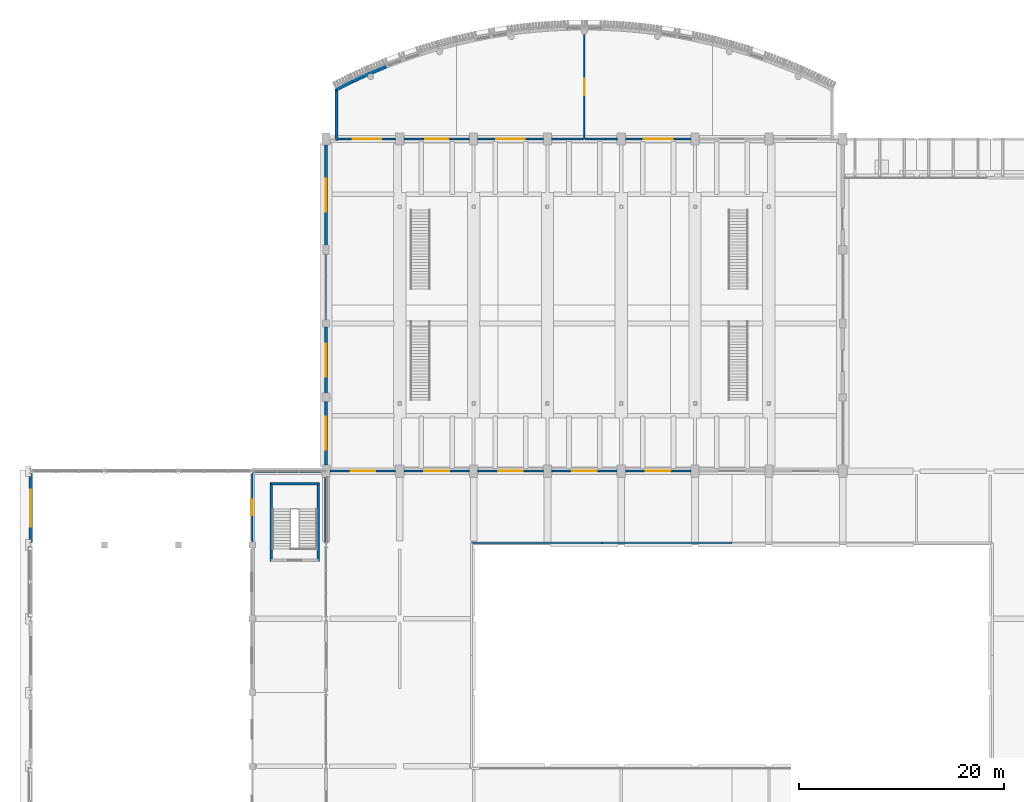
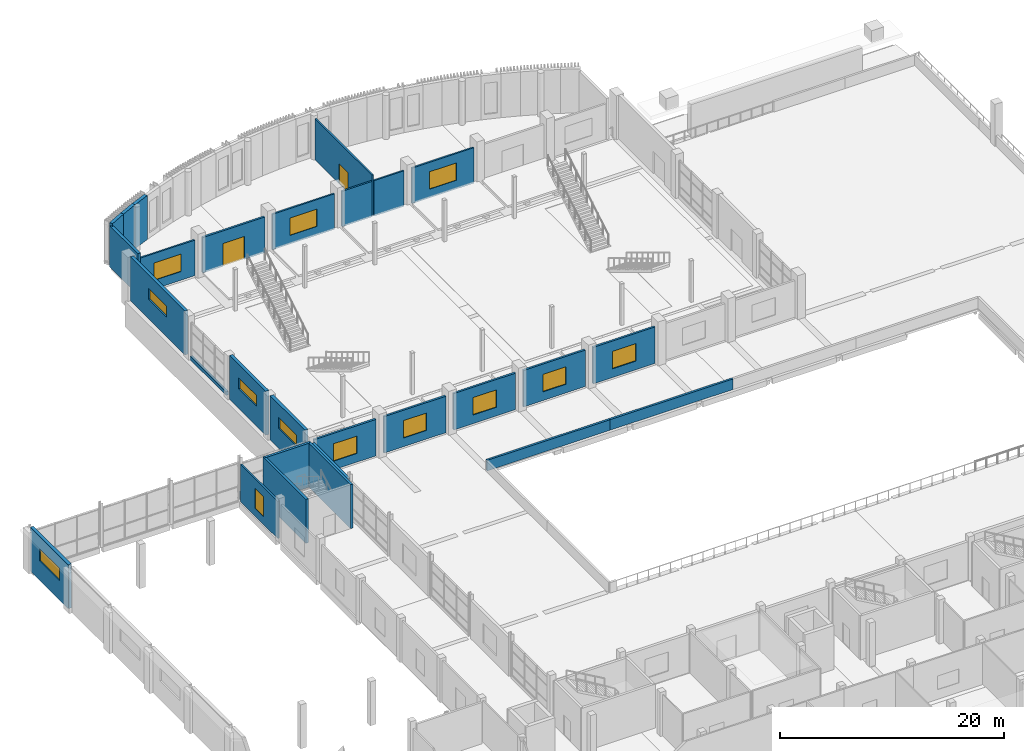
# One storey, part 61 of 82: 29 walls, 13 windows, 2 doors, 15 openings.
"""IFC4 building model written with IfcOpenShell, lengths in metres."""

from ifc_helpers import new_model, si_unit, direction, frame, frame_2d, origin, place, context, subcontext, project, spatial, polyline, rectangle, outline, extrude, material, layer, layer_set, type_object, element, fill, save


model = new_model("IFC4")

# Units and contexts
model_context = context("Model", 3, precision=1e-05, world=origin(), true_north=direction((0.0, 1.0)))
body_context = subcontext(model_context, "Body", "Model", "MODEL_VIEW")
ifc_project = project(units=[si_unit("LENGTHUNIT", "METRE"), si_unit("AREAUNIT", "SQUARE_METRE"), si_unit("VOLUMEUNIT", "CUBIC_METRE"), si_unit("PLANEANGLEUNIT", "RADIAN"), si_unit("MASSUNIT", "GRAM", prefix="KILO")], contexts=[model_context])

# Site, building, storey
site_placement = place(None, origin())
site = spatial("IfcSite", under=ifc_project, at=site_placement, CompositionType="ELEMENT")
building_placement = place(site_placement, origin())
building = spatial("IfcBuilding", under=site, at=building_placement, Name="Sardonyx Promenade Sports Hall", CompositionType="ELEMENT")
storey_placement = place(building_placement, frame((0.0, 0.0, 11.199951171875)))
storey = spatial("IfcBuildingStorey", under=building, at=storey_placement, Name="L02", CompositionType="ELEMENT", Elevation=11.199951171875)

# Walls
ifc_material_1 = material(Name="Concrete C40/50", Category="concrete")
ifc_layer_1 = layer(ifc_material_1, 0.340087890625)
ifc_layer_set_1 = layer_set([ifc_layer_1], Name="Wall_Bow_Arc_340")
wall_type_1 = type_object("IfcWallType", Name="Wall_Bow_Arc_340", PredefinedType="SOLIDWALL", material=ifc_layer_set_1)
for number, where, z_axis, x_axis, name in (
    (1, (29.773681640625, 109.2119140625, 0.0), (0.0, 0.0, 1.0), (0.892821085875, 0.450411488104, 0.0), "Bowed promenade wall EW07 L02 CH01"),
    (2, (31.380859375, 110.022705078125, 0.0), (0.0, 0.0, 1.0), (0.907808472517, 0.419384998808, 0.0), "Bowed promenade wall EW07 L02 CH02"),
):
    element("IfcWall", number, at=place(storey_placement, frame(where, z_axis=z_axis, x_axis=x_axis)), inside=storey, type_object=wall_type_1, Name=name, PredefinedType="SOLIDWALL", context=body_context, shape_type="SweptSolid", body=[
        extrude(outline(polyline([(0.002943, -0.17), (1.797057, -0.17), (1.802943, 0.17), (-0.002943, 0.17), (0.002943, -0.17)])), origin(), (0.0, 0.0, 1.0), 4.800048828125),
    ])
wall_1_placement = place(storey_placement, frame((33.014892578125, 110.777587890625, 0.0), z_axis=(0.0, 0.0, 1.0), x_axis=(0.921803799964, 0.387656748131, 0.0)))
element("IfcWall", 3, at=wall_1_placement, inside=storey, type_object=wall_type_1, Name="Bowed promenade wall EW07 L02 CH03", PredefinedType="SOLIDWALL", context=body_context, shape_type="SweptSolid", body=[
    extrude(outline(polyline([(0.002943, -0.17), (1.797058, -0.17), (1.802943, 0.17), (-0.002943, 0.17), (0.002943, -0.17)])), origin(), (0.0, 0.0, 1.0), 4.800048828125),
])

# Wall, opening, window
ifc_material_2 = material(Name="Concrete C40/50", Category="concrete")
ifc_layer_2 = layer(ifc_material_2, 0.320068359375)
ifc_layer_set_2 = layer_set([ifc_layer_2], Name="Wall_Ext_Court_320")
wall_type_2 = type_object("IfcWallType", Name="Wall_Ext_Court_320", PredefinedType="SOLIDWALL", material=ifc_layer_set_2)
wall_2_placement = place(storey_placement, frame((0.0, 65.0048828125, 0.0), z_axis=(0.0, 0.0, 1.0), x_axis=(0.0, 1.0, 0.0)))
wall_2 = element("IfcWall", 4, at=wall_2_placement, inside=storey, type_object=wall_type_2, Name="Exterior wall EW01 L02 #157", PredefinedType="SOLIDWALL", context=body_context, shape_type="SweptSolid", body=[
    extrude(rectangle(XDim=6.7900390625, YDim=0.320068359375, at=frame_2d((3.39501953125, 0.0))), origin(), (0.0, 0.0, 1.0), 4.800048828125),
])
opening_1_placement = place(wall_2_placement, frame((1.594970703125, 0.0, 2.10009765625)))
opening_1 = element("IfcOpeningElement", 5, at=opening_1_placement, cuts=wall_2, Name="Opening W17", PredefinedType="OPENING", context=body_context, shape_type="SweptSolid", body=[
    extrude(rectangle(XDim=3.60009765625, YDim=1.35009765625, at=frame_2d((1.800048828125, 0.675048828125))), frame((0.0, 0.17, 0.0), z_axis=(0.0, -1.0, 0.0), x_axis=(1.0, 0.0, 0.0)), (0.0, 0.0, 1.0), 0.34),
])
ifc_material_3 = material(Name="Double-glazed solar low-E aluminium window", Category="aluminium")
window_type_1 = type_object("IfcWindowType", Name="Win_Clerestory_360x135", PartitioningType="DOUBLE_PANEL_VERTICAL", PredefinedType="WINDOW", material=ifc_material_3)
window_1_placement = place(opening_1_placement, origin())
window_1 = element("IfcWindow", 6, at=window_1_placement, inside=storey, type_object=window_type_1, Name="Facade window W17 L02 #68", OverallHeight=1.35009765625, OverallWidth=3.60009765625, PartitioningType="SINGLE_PANEL", PredefinedType="WINDOW", context=body_context, shape_type="SweptSolid", body=[
    extrude(rectangle(XDim=3.60009765625, YDim=1.35009765625, at=frame_2d((1.800048828125, 0.675048828125))), frame((0.0, 0.030029296875, 0.0), z_axis=(0.0, -1.0, 0.0), x_axis=(1.0, 0.0, 0.0)), (0.0, 0.0, 1.0), 0.06005859375),
])
fill(opening_1, window_1)

wall_3_placement = place(storey_placement, frame((28.800048828125, 72.5849609375, 0.0), z_axis=(0.0, 0.0, 1.0), x_axis=(0.0, 1.0, 0.0)))
wall_3 = element("IfcWall", 7, at=wall_3_placement, inside=storey, type_object=wall_type_2, Name="Exterior wall EW01 L02 #214", PredefinedType="SOLIDWALL", context=body_context, shape_type="SweptSolid", body=[
    extrude(rectangle(XDim=6.22998046875, YDim=0.320068359375, at=frame_2d((3.114990234375, 0.0))), origin(), (0.0, 0.0, 1.0), 4.800048828125),
])
opening_2_placement = place(wall_3_placement, frame((1.514892578125, 0.0, 2.14990234375)))
opening_2 = element("IfcOpeningElement", 8, at=opening_2_placement, cuts=wall_3, Name="Opening W22", PredefinedType="OPENING", context=body_context, shape_type="SweptSolid", body=[
    extrude(rectangle(XDim=3.199951171875, YDim=1.199951171875, at=frame_2d((1.60009765625, 0.60009765625))), frame((0.0, 0.17, 0.0), z_axis=(0.0, -1.0, 0.0), x_axis=(1.0, 0.0, 0.0)), (0.0, 0.0, 1.0), 0.34),
])
ifc_material_4 = material(Name="Double-glazed solar low-E aluminium window", Category="aluminium")
window_type_2 = type_object("IfcWindowType", Name="Win_Clerestory_320x120", PartitioningType="DOUBLE_PANEL_VERTICAL", PredefinedType="WINDOW", material=ifc_material_4)
window_2_placement = place(opening_2_placement, origin())
window_2 = element("IfcWindow", 9, at=window_2_placement, inside=storey, type_object=window_type_2, Name="Facade window W22 L02 #84", OverallHeight=1.199951171875, OverallWidth=3.199951171875, PartitioningType="SINGLE_PANEL", PredefinedType="WINDOW", context=body_context, shape_type="SweptSolid", body=[
    extrude(rectangle(XDim=3.199951171875, YDim=1.199951171875, at=frame_2d((1.60009765625, 0.60009765625))), frame((0.0, 0.030029296875, 0.0), z_axis=(0.0, -1.0, 0.0), x_axis=(1.0, 0.0, 0.0)), (0.0, 0.0, 1.0), 0.06005859375),
])
fill(opening_2, window_2)

wall_4_placement = place(storey_placement, frame((28.800048828125, 79.5849609375, 0.0), z_axis=(0.0, 0.0, 1.0), x_axis=(0.0, 1.0, 0.0)))
wall_4 = element("IfcWall", 10, at=wall_4_placement, inside=storey, type_object=wall_type_2, Name="Exterior wall EW01 L02 #215", PredefinedType="SOLIDWALL", context=body_context, shape_type="SweptSolid", body=[
    extrude(rectangle(XDim=6.47998046875, YDim=0.320068359375, at=frame_2d((3.239990234375, 0.0))), origin(), (0.0, 0.0, 1.0), 4.800048828125),
])
opening_3_placement = place(wall_4_placement, frame((1.639892578125, 0.0, 2.14990234375)))
opening_3 = element("IfcOpeningElement", 11, at=opening_3_placement, cuts=wall_4, Name="Opening W22", PredefinedType="OPENING", context=body_context, shape_type="SweptSolid", body=[
    extrude(rectangle(XDim=3.199951171875, YDim=1.199951171875, at=frame_2d((1.60009765625, 0.60009765625))), frame((0.0, 0.17, 0.0), z_axis=(0.0, -1.0, 0.0), x_axis=(1.0, 0.0, 0.0)), (0.0, 0.0, 1.0), 0.34),
])
window_3_placement = place(opening_3_placement, origin())
window_3 = element("IfcWindow", 12, at=window_3_placement, inside=storey, type_object=window_type_2, Name="Facade window W22 L02 #85", OverallHeight=1.199951171875, OverallWidth=3.199951171875, PartitioningType="SINGLE_PANEL", PredefinedType="WINDOW", context=body_context, shape_type="SweptSolid", body=[
    extrude(rectangle(XDim=3.199951171875, YDim=1.199951171875, at=frame_2d((1.60009765625, 0.60009765625))), frame((0.0, 0.030029296875, 0.0), z_axis=(0.0, -1.0, 0.0), x_axis=(1.0, 0.0, 0.0)), (0.0, 0.0, 1.0), 0.06005859375),
])
fill(opening_3, window_3)

wall_5_placement = place(storey_placement, frame((28.800048828125, 94.034912109375, 0.0), z_axis=(0.0, 0.0, 1.0), x_axis=(0.0, 1.0, 0.0)))
wall_5 = element("IfcWall", 13, at=wall_5_placement, inside=storey, type_object=wall_type_2, Name="Exterior wall EW01 L02 #217", PredefinedType="SOLIDWALL", context=body_context, shape_type="SweptSolid", body=[
    extrude(rectangle(XDim=9.780029296875, YDim=0.320068359375, at=frame_2d((4.89013671875, 0.0))), origin(), (0.0, 0.0, 1.0), 4.800048828125),
])
opening_4_placement = place(wall_5_placement, frame((3.2900390625, 0.0, 2.14990234375)))
opening_4 = element("IfcOpeningElement", 14, at=opening_4_placement, cuts=wall_5, Name="Opening W22", PredefinedType="OPENING", context=body_context, shape_type="SweptSolid", body=[
    extrude(rectangle(XDim=3.199951171875, YDim=1.199951171875, at=frame_2d((1.60009765625, 0.60009765625))), frame((0.0, 0.17, 0.0), z_axis=(0.0, -1.0, 0.0), x_axis=(1.0, 0.0, 0.0)), (0.0, 0.0, 1.0), 0.34),
])
window_4_placement = place(opening_4_placement, origin())
window_4 = element("IfcWindow", 15, at=window_4_placement, inside=storey, type_object=window_type_2, Name="Facade window W22 L02 #86", OverallHeight=1.199951171875, OverallWidth=3.199951171875, PartitioningType="SINGLE_PANEL", PredefinedType="WINDOW", context=body_context, shape_type="SweptSolid", body=[
    extrude(rectangle(XDim=3.199951171875, YDim=1.199951171875, at=frame_2d((1.60009765625, 0.60009765625))), frame((0.0, 0.030029296875, 0.0), z_axis=(0.0, -1.0, 0.0), x_axis=(1.0, 0.0, 0.0)), (0.0, 0.0, 1.0), 0.06005859375),
])
fill(opening_4, window_4)

# Walls
ifc_material_5 = material(Name="Masonry CMU 15 MPa", Category="masonry")
ifc_layer_3 = layer(ifc_material_5, 0.239990234375)
ifc_layer_set_3 = layer_set([ifc_layer_3], Name="Wall_Ext_Spandrel_240")
wall_type_3 = type_object("IfcWallType", Name="Wall_Ext_Spandrel_240", PredefinedType="SOLIDWALL", material=ifc_layer_set_3)
wall_6_placement = place(storey_placement, frame((21.60400390625, 72.0, 0.0), z_axis=(0.0, 0.0, 1.0), x_axis=(1.0, 0.0, 0.0)))
element("IfcWall", 16, at=wall_6_placement, inside=storey, type_object=wall_type_3, Name="Curtain-wall sill spandrel L02 #173", PredefinedType="SOLIDWALL", context=body_context, shape_type="SweptSolid", body=[
    extrude(rectangle(XDim=6.81103515625, YDim=0.239990234375, at=frame_2d((3.405517578125, 0.0))), origin(), (0.0, 0.0, 1.0), 0.900146484375),
])
wall_7_placement = place(storey_placement, frame((28.800048828125, 86.735107421875, 0.0), z_axis=(0.0, 0.0, 1.0), x_axis=(0.0, 1.0, 0.0)))
element("IfcWall", 17, at=wall_7_placement, inside=storey, type_object=wall_type_3, Name="Curtain-wall sill spandrel L02 #216", PredefinedType="SOLIDWALL", context=body_context, shape_type="SweptSolid", body=[
    extrude(rectangle(XDim=6.429931640625, YDim=0.239990234375, at=frame_2d((3.21484375, 0.0))), origin(), (0.0, 0.0, 1.0), 0.400146484375),
])
ifc_material_6 = material(Name="Concrete C40/50", Category="concrete")
ifc_layer_4 = layer(ifc_material_6, 0.280029296875)
ifc_layer_set_4 = layer_set([ifc_layer_4], Name="Wall_Ext_Wing_280")
wall_type_4 = type_object("IfcWallType", Name="Wall_Ext_Wing_280", PredefinedType="SOLIDWALL", material=ifc_layer_set_4)
wall_8_placement = place(storey_placement, frame((29.82373046875, 104.25, 0.0), z_axis=(0.0, 0.0, 1.0), x_axis=(0.0, 1.0, 0.0)))
element("IfcWall", 18, at=wall_8_placement, inside=storey, type_object=wall_type_4, Name="Bowed gallery west return wall L02", PredefinedType="SOLIDWALL", context=body_context, shape_type="SweptSolid", body=[
    extrude(rectangle(XDim=5.041748046875, YDim=0.280029296875, at=frame_2d((2.52099609375, 0.0))), origin(), (0.0, 0.0, 1.0), 4.489990234375),
])
wall_9_placement = place(storey_placement, frame((28.800048828125, 71.4150390625, 0.0), z_axis=(0.0, 0.0, 1.0), x_axis=(0.0, -1.0, 0.0)))
element("IfcWall", 19, at=wall_9_placement, inside=storey, type_object=wall_type_4, Name="Exterior wall EW02 L02 #227", PredefinedType="SOLIDWALL", context=body_context, shape_type="SweptSolid", body=[
    extrude(rectangle(XDim=6.41015625, YDim=0.280029296875, at=frame_2d((3.205078125, 0.0))), origin(), (0.0, 0.0, 1.0), 4.0849609375),
])
ifc_material_7 = material(Name="Concrete C40/50", Category="concrete")
ifc_layer_5 = layer(ifc_material_7, 0.219970703125)
ifc_layer_set_5 = layer_set([ifc_layer_5], Name="Wall_Parapet_Roof_220")
wall_type_5 = type_object("IfcWallType", Name="Wall_Parapet_Roof_220", PredefinedType="PARAPET", material=ifc_layer_set_5)
for number, where, z_axis, x_axis, name in (
    (20, (43.0, 65.0, 0.0), (0.0, 0.0, 1.0), (1.0, 0.0, 0.0), "Roof parapet PP02 L02 #11"),
    (21, (55.699951171875, 65.0, 0.0), (0.0, 0.0, 1.0), (1.0, 0.0, 0.0), "Roof parapet PP02 L02 #12"),
):
    element("IfcWall", number, at=place(storey_placement, frame(where, z_axis=z_axis, x_axis=x_axis)), inside=storey, type_object=wall_type_5, Name=name, PredefinedType="PARAPET", context=body_context, shape_type="SweptSolid", body=[
        extrude(rectangle(XDim=12.699951171875, YDim=0.219970703125, at=frame_2d((6.35009765625, 0.0))), origin(), (0.0, 0.0, 1.0), 1.150146484375),
    ])

# Wall, opening, door
ifc_material_8 = material(Name="Twin-stud acoustic gypsum partition", Category="gypsum")
ifc_layer_6 = layer(ifc_material_8, 0.169921875)
ifc_layer_set_6 = layer_set([ifc_layer_6], Name="Wall_Part_Acoust_170")
wall_type_6 = type_object("IfcWallType", Name="Wall_Part_Acoust_170", PredefinedType="PARTITIONING", material=ifc_layer_set_6)
wall_10_placement = place(storey_placement, frame((54.0, 104.39990234375, 0.0), z_axis=(0.0, 0.0, 1.0), x_axis=(0.0, 1.0, 0.0)))
wall_10 = element("IfcWall", 22, at=wall_10_placement, inside=storey, type_object=wall_type_6, Name="Interior partition PW06 L02 #404", PredefinedType="PARTITIONING", context=body_context, shape_type="SweptSolid", body=[
    extrude(rectangle(XDim=10.18017578125, YDim=0.169921875, at=frame_2d((5.090087890625, 0.0))), origin(), (0.0, 0.0, 1.0), 4.489990234375),
])
opening_5_placement = place(wall_10_placement, frame((4.2900390625, 0.0, 0.0)))
opening_5 = element("IfcOpeningElement", 23, at=opening_5_placement, cuts=wall_10, Name="Opening ID09", PredefinedType="OPENING", context=body_context, shape_type="SweptSolid", body=[
    extrude(rectangle(XDim=1.60009765625, YDim=2.199951171875, at=frame_2d((0.800048828125, 1.10009765625))), frame((0.0, 0.095, 0.0), z_axis=(0.0, -1.0, 0.0), x_axis=(1.0, 0.0, 0.0)), (0.0, 0.0, 1.0), 0.19),
])
ifc_material_9 = material(Name="Double hardwood vision-panel fire door FD60S", Category="wood")
door_type_1 = type_object("IfcDoorType", Name="Door_Lobby_FD60_160x220", OperationType="NOTDEFINED", PredefinedType="DOOR", material=ifc_material_9)
door_1_placement = place(opening_5_placement, origin())
door_1 = element("IfcDoor", 24, at=door_1_placement, inside=storey, type_object=door_type_1, Name="Interior door D02-130", OperationType="DOUBLE_DOOR_SINGLE_SWING", OverallHeight=2.199951171875, OverallWidth=1.60009765625, PredefinedType="DOOR", context=body_context, shape_type="SweptSolid", body=[
    extrude(rectangle(XDim=1.60009765625, YDim=2.199951171875, at=frame_2d((0.800048828125, 1.10009765625))), frame((0.0, 0.02490234375, 0.0), z_axis=(0.0, -1.0, 0.0), x_axis=(1.0, 0.0, 0.0)), (0.0, 0.0, 1.0), 0.050048828125),
])
fill(opening_5, door_1)

# Wall, opening, window
wall_11_placement = place(storey_placement, frame((29.9736328125, 104.39990234375, 0.0), z_axis=(0.0, 0.0, 1.0), x_axis=(1.0, 0.0, 0.0)))
wall_11 = element("IfcWall", 25, at=wall_11_placement, inside=storey, type_object=wall_type_6, Name="Interior partition PW06 L02 #405", PredefinedType="PARTITIONING", context=body_context, shape_type="SweptSolid", body=[
    extrude(rectangle(XDim=5.62646484375, YDim=0.169921875, at=frame_2d((2.813232421875, 0.0))), origin(), (0.0, 0.0, 1.0), 3.880126953125),
])
opening_6_placement = place(wall_11_placement, frame((1.4130859375, 0.0, 0.949951171875)))
opening_6 = element("IfcOpeningElement", 26, at=opening_6_placement, cuts=wall_11, Name="Opening IW06", PredefinedType="OPENING", context=body_context, shape_type="SweptSolid", body=[
    extrude(rectangle(XDim=2.800048828125, YDim=1.89990234375, at=frame_2d((1.39990234375, 0.949951171875))), frame((0.0, 0.095, 0.0), z_axis=(0.0, -1.0, 0.0), x_axis=(1.0, 0.0, 0.0)), (0.0, 0.0, 1.0), 0.19),
])
ifc_material_10 = material(Name="Acoustic laminated sports viewing glazing EI 60", Category="glass")
window_type_3 = type_object("IfcWindowType", Name="IWin_Arena_280x190", PartitioningType="DOUBLE_PANEL_VERTICAL", PredefinedType="WINDOW", material=ifc_material_10)
window_5_placement = place(opening_6_placement, origin())
window_5 = element("IfcWindow", 27, at=window_5_placement, inside=storey, type_object=window_type_3, Name="Internal viewing window IW06 L02 #30", OverallHeight=1.89990234375, OverallWidth=2.800048828125, PartitioningType="SINGLE_PANEL", PredefinedType="WINDOW", context=body_context, shape_type="SweptSolid", body=[
    extrude(rectangle(XDim=2.800048828125, YDim=1.89990234375, at=frame_2d((1.39990234375, 0.949951171875))), frame((0.0, 0.030029296875, 0.0), z_axis=(0.0, -1.0, 0.0), x_axis=(1.0, 0.0, 0.0)), (0.0, 0.0, 1.0), 0.06005859375),
])
fill(opening_6, window_5)

wall_12_placement = place(storey_placement, frame((43.60009765625, 104.39990234375, 0.0), z_axis=(0.0, 0.0, 1.0), x_axis=(1.0, 0.0, 0.0)))
wall_12 = element("IfcWall", 28, at=wall_12_placement, inside=storey, type_object=wall_type_6, Name="Interior partition PW06 L02 #407", PredefinedType="PARTITIONING", context=body_context, shape_type="SweptSolid", body=[
    extrude(rectangle(XDim=6.39990234375, YDim=0.169921875, at=frame_2d((3.199951171875, 0.0))), origin(), (0.0, 0.0, 1.0), 3.880126953125),
])
opening_7_placement = place(wall_12_placement, frame((1.800048828125, 0.0, 0.949951171875)))
opening_7 = element("IfcOpeningElement", 29, at=opening_7_placement, cuts=wall_12, Name="Opening IW06", PredefinedType="OPENING", context=body_context, shape_type="SweptSolid", body=[
    extrude(rectangle(XDim=2.800048828125, YDim=1.89990234375, at=frame_2d((1.39990234375, 0.949951171875))), frame((0.0, 0.095, 0.0), z_axis=(0.0, -1.0, 0.0), x_axis=(1.0, 0.0, 0.0)), (0.0, 0.0, 1.0), 0.19),
])
window_6_placement = place(opening_7_placement, origin())
window_6 = element("IfcWindow", 30, at=window_6_placement, inside=storey, type_object=window_type_3, Name="Internal viewing window IW06 L02 #31", OverallHeight=1.89990234375, OverallWidth=2.800048828125, PartitioningType="SINGLE_PANEL", PredefinedType="WINDOW", context=body_context, shape_type="SweptSolid", body=[
    extrude(rectangle(XDim=2.800048828125, YDim=1.89990234375, at=frame_2d((1.39990234375, 0.949951171875))), frame((0.0, 0.030029296875, 0.0), z_axis=(0.0, -1.0, 0.0), x_axis=(1.0, 0.0, 0.0)), (0.0, 0.0, 1.0), 0.06005859375),
])
fill(opening_7, window_6)

# Walls
for number, where, z_axis, x_axis, name in (
    (31, (50.800048828125, 104.39990234375, 0.0), (0.0, 0.0, 1.0), (1.0, 0.0, 0.0), "Interior partition PW06 L02 #408"),
    (32, (54.094970703125, 104.39990234375, 0.0), (0.0, 0.0, 1.0), (1.0, 0.0, 0.0), "Interior partition PW06 L02 #409"),
):
    element("IfcWall", number, at=place(storey_placement, frame(where, z_axis=z_axis, x_axis=x_axis)), inside=storey, type_object=wall_type_6, Name=name, PredefinedType="PARTITIONING", context=body_context, shape_type="SweptSolid", body=[
        extrude(rectangle(XDim=3.10498046875, YDim=0.169921875, at=frame_2d((1.552490234375, 0.0))), origin(), (0.0, 0.0, 1.0), 3.880126953125),
    ])

# Wall, opening, window
wall_13_placement = place(storey_placement, frame((58.0, 104.39990234375, 0.0), z_axis=(0.0, 0.0, 1.0), x_axis=(1.0, 0.0, 0.0)))
wall_13 = element("IfcWall", 33, at=wall_13_placement, inside=storey, type_object=wall_type_6, Name="Interior partition PW06 L02 #410", PredefinedType="PARTITIONING", context=body_context, shape_type="SweptSolid", body=[
    extrude(rectangle(XDim=6.39990234375, YDim=0.169921875, at=frame_2d((3.199951171875, 0.0))), origin(), (0.0, 0.0, 1.0), 3.880126953125),
])
opening_8_placement = place(wall_13_placement, frame((1.800048828125, 0.0, 0.949951171875)))
opening_8 = element("IfcOpeningElement", 34, at=opening_8_placement, cuts=wall_13, Name="Opening IW06", PredefinedType="OPENING", context=body_context, shape_type="SweptSolid", body=[
    extrude(rectangle(XDim=2.800048828125, YDim=1.89990234375, at=frame_2d((1.39990234375, 0.949951171875))), frame((0.0, 0.095, 0.0), z_axis=(0.0, -1.0, 0.0), x_axis=(1.0, 0.0, 0.0)), (0.0, 0.0, 1.0), 0.19),
])
window_7_placement = place(opening_8_placement, origin())
window_7 = element("IfcWindow", 35, at=window_7_placement, inside=storey, type_object=window_type_3, Name="Internal viewing window IW06 L02 #32", OverallHeight=1.89990234375, OverallWidth=2.800048828125, PartitioningType="SINGLE_PANEL", PredefinedType="WINDOW", context=body_context, shape_type="SweptSolid", body=[
    extrude(rectangle(XDim=2.800048828125, YDim=1.89990234375, at=frame_2d((1.39990234375, 0.949951171875))), frame((0.0, 0.030029296875, 0.0), z_axis=(0.0, -1.0, 0.0), x_axis=(1.0, 0.0, 0.0)), (0.0, 0.0, 1.0), 0.06005859375),
])
fill(opening_8, window_7)

wall_14_placement = place(storey_placement, frame((21.60009765625, 65.10009765625, 0.0), z_axis=(0.0, 0.0, 1.0), x_axis=(0.0, 1.0, 0.0)))
wall_14 = element("IfcWall", 36, at=wall_14_placement, inside=storey, type_object=wall_type_6, Name="Interior partition PW06 L02 #499", PredefinedType="PARTITIONING", context=body_context, shape_type="SweptSolid", body=[
    extrude(rectangle(XDim=6.679931640625, YDim=0.169921875, at=frame_2d((3.33984375, 0.0))), origin(), (0.0, 0.0, 1.0), 4.080078125),
])
opening_9_placement = place(wall_14_placement, frame((2.590087890625, 0.0, 0.85009765625)))
opening_9 = element("IfcOpeningElement", 37, at=opening_9_placement, cuts=wall_14, Name="Opening IW08", PredefinedType="OPENING", context=body_context, shape_type="SweptSolid", body=[
    extrude(rectangle(XDim=1.5, YDim=2.199951171875, at=frame_2d((0.75, 1.10009765625))), frame((0.0, 0.095, 0.0), z_axis=(0.0, -1.0, 0.0), x_axis=(1.0, 0.0, 0.0)), (0.0, 0.0, 1.0), 0.19),
])
ifc_material_11 = material(Name="Acoustic laminated sports viewing glazing EI 60", Category="glass")
window_type_4 = type_object("IfcWindowType", Name="IWin_Climb_150x220", PartitioningType="DOUBLE_PANEL_VERTICAL", PredefinedType="WINDOW", material=ifc_material_11)
window_8_placement = place(opening_9_placement, origin())
window_8 = element("IfcWindow", 38, at=window_8_placement, inside=storey, type_object=window_type_4, Name="Internal viewing window IW08 L02 #81", OverallHeight=2.199951171875, OverallWidth=1.5, PartitioningType="SINGLE_PANEL", PredefinedType="WINDOW", context=body_context, shape_type="SweptSolid", body=[
    extrude(rectangle(XDim=1.5, YDim=2.199951171875, at=frame_2d((0.75, 1.10009765625))), frame((0.0, 0.030029296875, 0.0), z_axis=(0.0, -1.0, 0.0), x_axis=(1.0, 0.0, 0.0)), (0.0, 0.0, 1.0), 0.06005859375),
])
fill(opening_9, window_8)

# Wall, opening, door
ifc_material_12 = material(Name="Masonry CMU 15 MPa", Category="masonry")
ifc_layer_7 = layer(ifc_material_12, 0.2099609375)
ifc_layer_set_7 = layer_set([ifc_layer_7], Name="Wall_Part_Block_210")
wall_type_7 = type_object("IfcWallType", Name="Wall_Part_Block_210", PredefinedType="PARTITIONING", material=ifc_layer_set_7)
wall_15_placement = place(storey_placement, frame((36.39990234375, 104.39990234375, 0.0), z_axis=(0.0, 0.0, 1.0), x_axis=(1.0, 0.0, 0.0)))
wall_15 = element("IfcWall", 39, at=wall_15_placement, inside=storey, type_object=wall_type_7, Name="Interior partition PW07 L02 #406", PredefinedType="PARTITIONING", context=body_context, shape_type="SweptSolid", body=[
    extrude(rectangle(XDim=6.400146484375, YDim=0.2099609375, at=frame_2d((3.2001953125, 0.0))), origin(), (0.0, 0.0, 1.0), 3.880126953125),
])
opening_10_placement = place(wall_15_placement, frame((2.10009765625, 0.0, 0.0)))
opening_10 = element("IfcOpeningElement", 40, at=opening_10_placement, cuts=wall_15, Name="Opening ID04", PredefinedType="OPENING", context=body_context, shape_type="SweptSolid", body=[
    extrude(rectangle(XDim=2.199951171875, YDim=2.5, at=frame_2d((1.10009765625, 1.25))), frame((0.0, 0.115, 0.0), z_axis=(0.0, -1.0, 0.0), x_axis=(1.0, 0.0, 0.0)), (0.0, 0.0, 1.0), 0.23),
])
ifc_material_13 = material(Name="Double acoustic sports hall fire door FD60S", Category="wood")
door_type_2 = type_object("IfcDoorType", Name="Door_Hall_FD60_220x250", OperationType="NOTDEFINED", PredefinedType="DOOR", material=ifc_material_13)
door_2_placement = place(opening_10_placement, origin())
door_2 = element("IfcDoor", 41, at=door_2_placement, inside=storey, type_object=door_type_2, Name="Interior door D02-131", OperationType="DOUBLE_DOOR_SINGLE_SWING", OverallHeight=2.5, OverallWidth=2.199951171875, PredefinedType="DOOR", context=body_context, shape_type="SweptSolid", body=[
    extrude(rectangle(XDim=2.199951171875, YDim=2.5, at=frame_2d((1.10009765625, 1.25))), frame((0.0, 0.02490234375, 0.0), z_axis=(0.0, -1.0, 0.0), x_axis=(1.0, 0.0, 0.0)), (0.0, 0.0, 1.0), 0.050048828125),
])
fill(opening_10, door_2)

# Wall, opening, window
wall_16_placement = place(storey_placement, frame((29.199951171875, 72.0, 0.0), z_axis=(0.0, 0.0, 1.0), x_axis=(1.0, 0.0, 0.0)))
wall_16 = element("IfcWall", 42, at=wall_16_placement, inside=storey, type_object=wall_type_7, Name="Interior partition PW07 L02 #413", PredefinedType="PARTITIONING", context=body_context, shape_type="SweptSolid", body=[
    extrude(rectangle(XDim=6.400146484375, YDim=0.2099609375, at=frame_2d((3.2001953125, 0.0))), origin(), (0.0, 0.0, 1.0), 3.97998046875),
])
opening_11_placement = place(wall_16_placement, frame((2.0, 0.0, 0.949951171875)))
opening_11 = element("IfcOpeningElement", 43, at=opening_11_placement, cuts=wall_16, Name="Opening IW03", PredefinedType="OPENING", context=body_context, shape_type="SweptSolid", body=[
    extrude(rectangle(XDim=2.39990234375, YDim=1.89990234375, at=frame_2d((1.199951171875, 0.949951171875))), frame((0.0, 0.115, 0.0), z_axis=(0.0, -1.0, 0.0), x_axis=(1.0, 0.0, 0.0)), (0.0, 0.0, 1.0), 0.23),
])
ifc_material_14 = material(Name="Acoustic laminated sports viewing glazing EI 60", Category="glass")
window_type_5 = type_object("IfcWindowType", Name="IWin_Arena_240x190", PartitioningType="DOUBLE_PANEL_VERTICAL", PredefinedType="WINDOW", material=ifc_material_14)
window_9_placement = place(opening_11_placement, origin())
window_9 = element("IfcWindow", 44, at=window_9_placement, inside=storey, type_object=window_type_5, Name="Internal viewing window IW03 L02 #34", OverallHeight=1.89990234375, OverallWidth=2.39990234375, PartitioningType="SINGLE_PANEL", PredefinedType="WINDOW", context=body_context, shape_type="SweptSolid", body=[
    extrude(rectangle(XDim=2.39990234375, YDim=1.89990234375, at=frame_2d((1.199951171875, 0.949951171875))), frame((0.0, 0.030029296875, 0.0), z_axis=(0.0, -1.0, 0.0), x_axis=(1.0, 0.0, 0.0)), (0.0, 0.0, 1.0), 0.06005859375),
])
fill(opening_11, window_9)

wall_17_placement = place(storey_placement, frame((36.39990234375, 72.0, 0.0), z_axis=(0.0, 0.0, 1.0), x_axis=(1.0, 0.0, 0.0)))
wall_17 = element("IfcWall", 45, at=wall_17_placement, inside=storey, type_object=wall_type_7, Name="Interior partition PW07 L02 #414", PredefinedType="PARTITIONING", context=body_context, shape_type="SweptSolid", body=[
    extrude(rectangle(XDim=6.400146484375, YDim=0.2099609375, at=frame_2d((3.2001953125, 0.0))), origin(), (0.0, 0.0, 1.0), 3.97998046875),
])
opening_12_placement = place(wall_17_placement, frame((2.0, 0.0, 0.949951171875)))
opening_12 = element("IfcOpeningElement", 46, at=opening_12_placement, cuts=wall_17, Name="Opening IW03", PredefinedType="OPENING", context=body_context, shape_type="SweptSolid", body=[
    extrude(rectangle(XDim=2.39990234375, YDim=1.89990234375, at=frame_2d((1.199951171875, 0.949951171875))), frame((0.0, 0.115, 0.0), z_axis=(0.0, -1.0, 0.0), x_axis=(1.0, 0.0, 0.0)), (0.0, 0.0, 1.0), 0.23),
])
window_10_placement = place(opening_12_placement, origin())
window_10 = element("IfcWindow", 47, at=window_10_placement, inside=storey, type_object=window_type_5, Name="Internal viewing window IW03 L02 #35", OverallHeight=1.89990234375, OverallWidth=2.39990234375, PartitioningType="SINGLE_PANEL", PredefinedType="WINDOW", context=body_context, shape_type="SweptSolid", body=[
    extrude(rectangle(XDim=2.39990234375, YDim=1.89990234375, at=frame_2d((1.199951171875, 0.949951171875))), frame((0.0, 0.030029296875, 0.0), z_axis=(0.0, -1.0, 0.0), x_axis=(1.0, 0.0, 0.0)), (0.0, 0.0, 1.0), 0.06005859375),
])
fill(opening_12, window_10)

wall_18_placement = place(storey_placement, frame((43.60009765625, 72.0, 0.0), z_axis=(0.0, 0.0, 1.0), x_axis=(1.0, 0.0, 0.0)))
wall_18 = element("IfcWall", 48, at=wall_18_placement, inside=storey, type_object=wall_type_7, Name="Interior partition PW07 L02 #415", PredefinedType="PARTITIONING", context=body_context, shape_type="SweptSolid", body=[
    extrude(rectangle(XDim=6.39990234375, YDim=0.2099609375, at=frame_2d((3.199951171875, 0.0))), origin(), (0.0, 0.0, 1.0), 3.97998046875),
])
opening_13_placement = place(wall_18_placement, frame((2.0, 0.0, 0.949951171875)))
opening_13 = element("IfcOpeningElement", 49, at=opening_13_placement, cuts=wall_18, Name="Opening IW03", PredefinedType="OPENING", context=body_context, shape_type="SweptSolid", body=[
    extrude(rectangle(XDim=2.39990234375, YDim=1.89990234375, at=frame_2d((1.199951171875, 0.949951171875))), frame((0.0, 0.115, 0.0), z_axis=(0.0, -1.0, 0.0), x_axis=(1.0, 0.0, 0.0)), (0.0, 0.0, 1.0), 0.23),
])
window_11_placement = place(opening_13_placement, origin())
window_11 = element("IfcWindow", 50, at=window_11_placement, inside=storey, type_object=window_type_5, Name="Internal viewing window IW03 L02 #36", OverallHeight=1.89990234375, OverallWidth=2.39990234375, PartitioningType="SINGLE_PANEL", PredefinedType="WINDOW", context=body_context, shape_type="SweptSolid", body=[
    extrude(rectangle(XDim=2.39990234375, YDim=1.89990234375, at=frame_2d((1.199951171875, 0.949951171875))), frame((0.0, 0.030029296875, 0.0), z_axis=(0.0, -1.0, 0.0), x_axis=(1.0, 0.0, 0.0)), (0.0, 0.0, 1.0), 0.06005859375),
])
fill(opening_13, window_11)

wall_19_placement = place(storey_placement, frame((50.800048828125, 72.0, 0.0), z_axis=(0.0, 0.0, 1.0), x_axis=(1.0, 0.0, 0.0)))
wall_19 = element("IfcWall", 51, at=wall_19_placement, inside=storey, type_object=wall_type_7, Name="Interior partition PW07 L02 #416", PredefinedType="PARTITIONING", context=body_context, shape_type="SweptSolid", body=[
    extrude(rectangle(XDim=6.39990234375, YDim=0.2099609375, at=frame_2d((3.199951171875, 0.0))), origin(), (0.0, 0.0, 1.0), 3.97998046875),
])
opening_14_placement = place(wall_19_placement, frame((2.0, 0.0, 0.949951171875)))
opening_14 = element("IfcOpeningElement", 52, at=opening_14_placement, cuts=wall_19, Name="Opening IW03", PredefinedType="OPENING", context=body_context, shape_type="SweptSolid", body=[
    extrude(rectangle(XDim=2.39990234375, YDim=1.89990234375, at=frame_2d((1.199951171875, 0.949951171875))), frame((0.0, 0.115, 0.0), z_axis=(0.0, -1.0, 0.0), x_axis=(1.0, 0.0, 0.0)), (0.0, 0.0, 1.0), 0.23),
])
window_12_placement = place(opening_14_placement, origin())
window_12 = element("IfcWindow", 53, at=window_12_placement, inside=storey, type_object=window_type_5, Name="Internal viewing window IW03 L02 #37", OverallHeight=1.89990234375, OverallWidth=2.39990234375, PartitioningType="SINGLE_PANEL", PredefinedType="WINDOW", context=body_context, shape_type="SweptSolid", body=[
    extrude(rectangle(XDim=2.39990234375, YDim=1.89990234375, at=frame_2d((1.199951171875, 0.949951171875))), frame((0.0, 0.030029296875, 0.0), z_axis=(0.0, -1.0, 0.0), x_axis=(1.0, 0.0, 0.0)), (0.0, 0.0, 1.0), 0.06005859375),
])
fill(opening_14, window_12)

wall_20_placement = place(storey_placement, frame((58.0, 72.0, 0.0), z_axis=(0.0, 0.0, 1.0), x_axis=(1.0, 0.0, 0.0)))
wall_20 = element("IfcWall", 54, at=wall_20_placement, inside=storey, type_object=wall_type_7, Name="Interior partition PW07 L02 #417", PredefinedType="PARTITIONING", context=body_context, shape_type="SweptSolid", body=[
    extrude(rectangle(XDim=6.39990234375, YDim=0.2099609375, at=frame_2d((3.199951171875, 0.0))), origin(), (0.0, 0.0, 1.0), 3.97998046875),
])
opening_15_placement = place(wall_20_placement, frame((2.0, 0.0, 0.949951171875)))
opening_15 = element("IfcOpeningElement", 55, at=opening_15_placement, cuts=wall_20, Name="Opening IW03", PredefinedType="OPENING", context=body_context, shape_type="SweptSolid", body=[
    extrude(rectangle(XDim=2.39990234375, YDim=1.89990234375, at=frame_2d((1.199951171875, 0.949951171875))), frame((0.0, 0.115, 0.0), z_axis=(0.0, -1.0, 0.0), x_axis=(1.0, 0.0, 0.0)), (0.0, 0.0, 1.0), 0.23),
])
window_13_placement = place(opening_15_placement, origin())
window_13 = element("IfcWindow", 56, at=window_13_placement, inside=storey, type_object=window_type_5, Name="Internal viewing window IW03 L02 #38", OverallHeight=1.89990234375, OverallWidth=2.39990234375, PartitioningType="SINGLE_PANEL", PredefinedType="WINDOW", context=body_context, shape_type="SweptSolid", body=[
    extrude(rectangle(XDim=2.39990234375, YDim=1.89990234375, at=frame_2d((1.199951171875, 0.949951171875))), frame((0.0, 0.030029296875, 0.0), z_axis=(0.0, -1.0, 0.0), x_axis=(1.0, 0.0, 0.0)), (0.0, 0.0, 1.0), 0.06005859375),
])
fill(opening_15, window_13)

# Walls
ifc_material_15 = material(Name="Concrete C40/50", Category="concrete")
ifc_layer_8 = layer(ifc_material_15, 0.25)
ifc_layer_set_8 = layer_set([ifc_layer_8], Name="Wall_Stair_Shear_250")
wall_type_8 = type_object("IfcWallType", Name="Wall_Stair_Shear_250", PredefinedType="SHEAR", material=ifc_layer_set_8)
wall_21_placement = place(storey_placement, frame((23.449951171875, 63.199951171875, 0.0), z_axis=(0.0, 0.0, 1.0), x_axis=(0.0, 1.0, 0.0)))
element("IfcWall", 57, at=wall_21_placement, inside=storey, type_object=wall_type_8, Name="Stair shaft wall ST7 L02 N", PredefinedType="SHEAR", context=body_context, shape_type="SweptSolid", body=[
    extrude(rectangle(XDim=7.699951171875, YDim=0.25, at=frame_2d((3.85009765625, 0.0))), origin(), (0.0, 0.0, 1.0), 4.800048828125),
])
wall_22_placement = place(storey_placement, frame((23.449951171875, 70.77490234375, 0.0), z_axis=(0.0, 0.0, 1.0), x_axis=(1.0, 0.0, 0.0)))
element("IfcWall", 58, at=wall_22_placement, inside=storey, type_object=wall_type_8, Name="Stair shaft wall ST7 L02 E", PredefinedType="SHEAR", context=body_context, shape_type="SweptSolid", body=[
    extrude(rectangle(XDim=4.60009765625, YDim=0.25, at=frame_2d((2.300048828125, 0.0))), origin(), (0.0, 0.0, 1.0), 4.800048828125),
])
wall_23_placement = place(storey_placement, frame((28.050048828125, 70.89990234375, 0.0), z_axis=(0.0, 0.0, 1.0), x_axis=(0.0, -1.0, 0.0)))
element("IfcWall", 59, at=wall_23_placement, inside=storey, type_object=wall_type_8, Name="Stair shaft wall ST7 L02 S", PredefinedType="SHEAR", context=body_context, shape_type="SweptSolid", body=[
    extrude(rectangle(XDim=7.699951171875, YDim=0.25, at=frame_2d((3.85009765625, 0.0))), origin(), (0.0, 0.0, 1.0), 4.800048828125),
])

save(model, "model.ifc")
